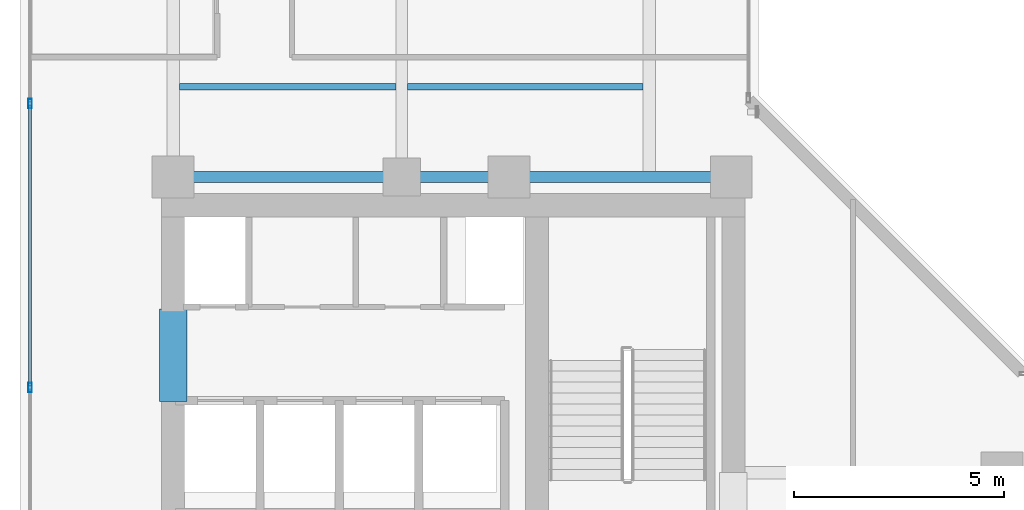
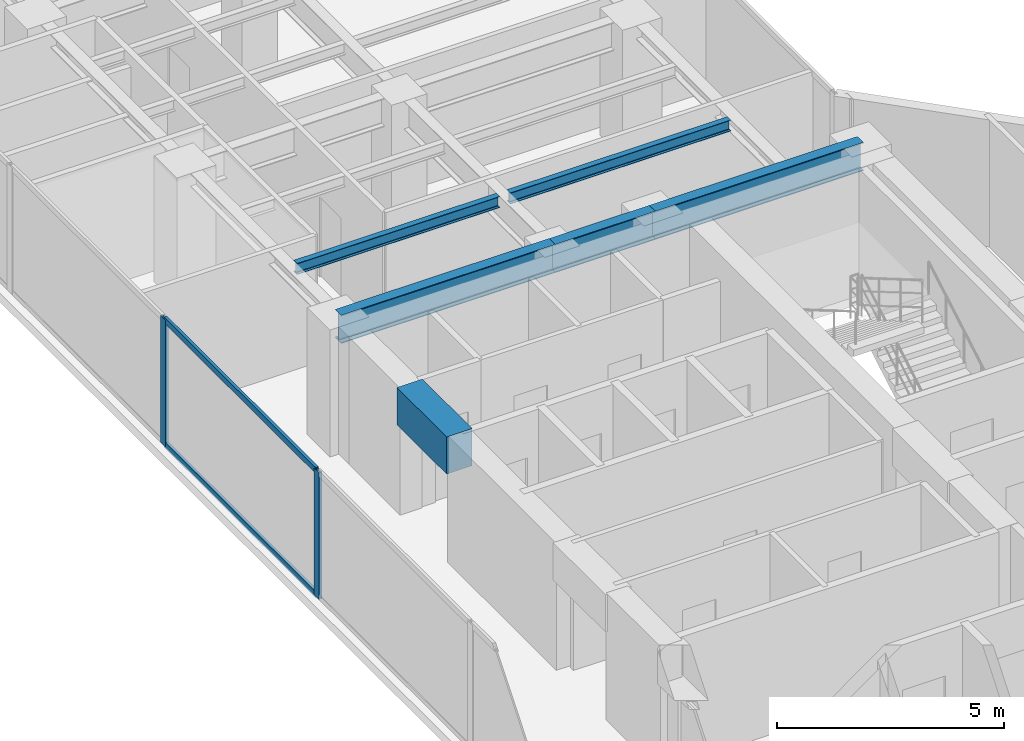
# One storey, part 7 of 24: 6 beams, 4 members, 1 element without a shape of its own.
"""IFC4 building model written with IfcOpenShell, lengths in metres."""

from ifc_helpers import new_model, si_unit, direction, frame, origin, origin_with_axes, origin_2d, place, context, subcontext, project, spatial, rectangle, hollow_rectangle, i_section, extrude, source, transform, mapped, material, layer, layer_set, material_profile, profile_set, type_object, element, aggregate, save


model = new_model("IFC4")

# Units and contexts
model_context = context("Model", 3, precision=1e-05, world=origin(), true_north=direction((0.0, 1.0)))
body_context = subcontext(model_context, "Body", "Model", "MODEL_VIEW")
ifc_project = project(units=[si_unit("LENGTHUNIT", "METRE"), si_unit("AREAUNIT", "SQUARE_METRE"), si_unit("VOLUMEUNIT", "CUBIC_METRE"), si_unit("PLANEANGLEUNIT", "RADIAN"), si_unit("MASSUNIT", "GRAM", prefix="KILO")], contexts=[model_context])

# Site, building, storey
site_placement = place(None, origin())
site = spatial("IfcSite", under=ifc_project, at=site_placement, CompositionType="ELEMENT")
building_placement = place(site_placement, origin())
building = spatial("IfcBuilding", under=site, at=building_placement, Name="Kolvaren Waterfront Exchange", CompositionType="ELEMENT")
storey_placement = place(building_placement, frame((0.0, 0.0, 253.89990234375)))
storey = spatial("IfcBuildingStorey", under=building, at=storey_placement, Name="L65", CompositionType="ELEMENT", Elevation=253.89990234375)

# Beams
ifc_material_1 = material(Name="Steel S355", Category="steel")
ifc_material_profile_1 = material_profile(ifc_material_1, i_section(OverallWidth=0.14990234375, OverallDepth=0.300048828125, WebThickness=0.007080078125, FlangeThickness=0.0107421875, FilletRadius=0.014892578125, at=origin_2d()), Name="IPE300")
ifc_profile_set_1 = profile_set([ifc_material_profile_1], Name="Steel S355")
beam_type_1 = type_object("IfcBeamType", Name="STR-BM-IPE300", PredefinedType="JOIST", material=ifc_profile_set_1)
beam_1_placement = place(storey_placement, frame((7.60205078125, 26.60009765625, 3.27001953125), z_axis=(1.0, 0.0, 0.0), x_axis=(0.0, 1.0, 0.0)))
element("IfcBeam", 1, at=beam_1_placement, inside=storey, type_object=beam_type_1, Name="L65 north-arm composite joist 1A", PredefinedType="JOIST", context=body_context, shape_type="SweptSolid", body=[
    extrude(i_section(OverallWidth=0.14990234375, OverallDepth=0.300048828125, WebThickness=0.007080078125, FlangeThickness=0.0107421875, FilletRadius=0.014892578125, at=origin_2d()), origin(), (0.0, 0.0, 1.0), 5.162353515625),
])
beam_2_placement = place(storey_placement, frame((13.035400390625, 26.60009765625, 3.27001953125), z_axis=(1.0, 0.0, 0.0), x_axis=(0.0, 1.0, 0.0)))
element("IfcBeam", 2, at=beam_2_placement, inside=storey, type_object=beam_type_1, Name="L65 north-arm composite joist 1B", PredefinedType="JOIST", context=body_context, shape_type="SweptSolid", body=[
    extrude(i_section(OverallWidth=0.14990234375, OverallDepth=0.300048828125, WebThickness=0.007080078125, FlangeThickness=0.0107421875, FilletRadius=0.014892578125, at=origin_2d()), origin(), (0.0, 0.0, 1.0), 5.612548828125),
])
ifc_material_profile_2 = material_profile(ifc_material_1, i_section(OverallWidth=0.26708984375, OverallDepth=0.761962890625, WebThickness=0.014404296875, FlangeThickness=0.021484375, FilletRadius=0.01708984375, at=origin_2d()), Name="IPE750x173")
ifc_profile_set_2 = profile_set([ifc_material_profile_2], Name="Steel S355")
beam_type_2 = type_object("IfcBeamType", Name="STR-BM-IPE750", PredefinedType="BEAM", material=ifc_profile_set_2)
beam_3_placement = place(storey_placement, frame((7.449951171875, 24.449951171875, 3.0390625), z_axis=(1.0, 0.0, 0.0), x_axis=(0.0, 1.0, 0.0)))
element("IfcBeam", 3, at=beam_3_placement, inside=storey, type_object=beam_type_2, Name="L65 north-arm girder 1A", PredefinedType="BEAM", context=body_context, shape_type="SweptSolid", body=[
    extrude(i_section(OverallWidth=0.26708984375, OverallDepth=0.761962890625, WebThickness=0.014404296875, FlangeThickness=0.021484375, FilletRadius=0.01708984375, at=origin_2d()), origin(), (0.0, 0.0, 1.0), 5.449951171875),
])
beam_4_placement = place(storey_placement, frame((12.89990234375, 24.449951171875, 3.0390625), z_axis=(1.0, 0.0, 0.0), x_axis=(0.0, 1.0, 0.0)))
element("IfcBeam", 4, at=beam_4_placement, inside=storey, type_object=beam_type_2, Name="L65 north-arm girder 1B", PredefinedType="BEAM", context=body_context, shape_type="SweptSolid", body=[
    extrude(i_section(OverallWidth=0.26708984375, OverallDepth=0.761962890625, WebThickness=0.014404296875, FlangeThickness=0.021484375, FilletRadius=0.01708984375, at=origin_2d()), origin(), (0.0, 0.0, 1.0), 2.550048828125),
])
beam_5_placement = place(storey_placement, frame((15.449951171875, 24.449951171875, 3.0390625), z_axis=(1.0, 0.0, 0.0), x_axis=(0.0, 1.0, 0.0)))
element("IfcBeam", 5, at=beam_5_placement, inside=storey, type_object=beam_type_2, Name="L65 north-arm girder 1C", PredefinedType="BEAM", context=body_context, shape_type="SweptSolid", body=[
    extrude(i_section(OverallWidth=0.26708984375, OverallDepth=0.761962890625, WebThickness=0.014404296875, FlangeThickness=0.021484375, FilletRadius=0.01708984375, at=origin_2d()), origin(), (0.0, 0.0, 1.0), 5.300048828125),
])
ifc_material_2 = material(Name="Concrete C60/75", Category="concrete")
ifc_material_profile_3 = material_profile(ifc_material_2, rectangle(XDim=0.64990234375, YDim=1.0, at=origin_2d()), Name="RC-CB-1000x650")
ifc_profile_set_3 = profile_set([ifc_material_profile_3], Name="Concrete C60/75")
beam_type_3 = type_object("IfcBeamType", Name="STR-CB-1000", PredefinedType="SPANDREL", material=ifc_profile_set_3)
beam_6_placement = place(storey_placement, frame((7.449951171875, 19.10009765625, 2.920166015625), z_axis=(0.0, 1.0, 0.0), x_axis=(-1.0, 0.0, 0.0)))
element("IfcBeam", 6, at=beam_6_placement, inside=storey, type_object=beam_type_3, Name="L65 core coupling beam 5", PredefinedType="SPANDREL", context=body_context, shape_type="SweptSolid", body=[
    extrude(rectangle(XDim=0.64990234375, YDim=1.0, at=origin_2d()), origin(), (0.0, 0.0, 1.0), 2.199951171875),
])

# Curtain wall, members
ifc_material_3 = material(Name="Anodised aluminium 6063-T6", Category="aluminium")
ifc_layer = layer(ifc_material_3, 0.219970703125, Name="Anodised aluminium 6063-T6")
ifc_layer_set = layer_set([ifc_layer], Name="Anodised aluminium 6063-T6")
curtain_wall_type = type_object("IfcCurtainWallType", Name="ARC-CW-SYS2", PredefinedType="USERDEFINED", material=ifc_layer_set)
curtain_wall_placement = place(storey_placement, origin())
curtain_wall = element("IfcCurtainWall", 7, at=curtain_wall_placement, inside=storey, type_object=curtain_wall_type, Name="L65 stick curtain wall CW2 (CW-L65-W)", ObjectType="STICK CURTAIN WALL", PredefinedType="USERDEFINED")
ifc_material_profile_4 = material_profile(ifc_material_3, hollow_rectangle(XDim=0.074951171875, YDim=0.159912109375, WallThickness=0.00439453125, at=origin_2d()), Name="ALU-TRN-160x75x4.5")
ifc_profile_set_4 = profile_set([ifc_material_profile_4], Name="Anodised aluminium 6063-T6")
member_type_1 = type_object("IfcMemberType", Name="ARC-CWT-160", PredefinedType="USERDEFINED", material=ifc_profile_set_4)
shared_shape_1 = source(origin_with_axes(), body_context, "Body", "SweptSolid", [
    extrude(hollow_rectangle(XDim=0.074951171875, YDim=0.159912109375, WallThickness=0.00439453125, at=origin_2d()), origin(), (0.0, 0.0, 1.0), 6.6865234375),
])
member_1_placement = place(storey_placement, frame((4.0400390625, 19.473388671875, 0.03759765625), z_axis=(0.0, 1.0, 0.0), x_axis=(-1.0, 0.0, 0.0)))
member_1 = element("IfcMember", 8, at=member_1_placement, type_object=member_type_1, Name="CW2 transom 3.1", ObjectType="TRANSOM", PredefinedType="USERDEFINED", context=body_context, shape_type="MappedRepresentation", body=[
    mapped(shared_shape_1, transform((0.0, 0.0, 0.0), x_axis=(1.0, 0.0, 0.0), y_axis=(0.0, 1.0, 0.0), z_axis=(0.0, 0.0, 1.0), scale=1.0)),
])
member_2_placement = place(storey_placement, frame((4.0400390625, 19.473388671875, 3.382568359375), z_axis=(0.0, 1.0, 0.0), x_axis=(-1.0, 0.0, 0.0)))
member_2 = element("IfcMember", 9, at=member_2_placement, type_object=member_type_1, Name="CW2 transom 3.2", ObjectType="TRANSOM", PredefinedType="USERDEFINED", context=body_context, shape_type="MappedRepresentation", body=[
    mapped(shared_shape_1, transform((0.0, 0.0, 0.0), x_axis=(1.0, 0.0, 0.0), y_axis=(0.0, 1.0, 0.0), z_axis=(0.0, 0.0, 1.0), scale=1.0)),
])
ifc_material_profile_5 = material_profile(ifc_material_3, hollow_rectangle(XDim=0.080078125, YDim=0.219970703125, WallThickness=0.0048828125, at=origin_2d()), Name="ALU-MUL-220x80x5")
ifc_profile_set_5 = profile_set([ifc_material_profile_5], Name="Anodised aluminium 6063-T6")
member_type_2 = type_object("IfcMemberType", Name="ARC-CWM-220", PredefinedType="MULLION", material=ifc_profile_set_5)
shared_shape_2 = source(origin_with_axes(), body_context, "Body", "SweptSolid", [
    extrude(hollow_rectangle(XDim=0.080078125, YDim=0.219970703125, WallThickness=0.0048828125, at=origin_2d()), origin(), (0.0, 0.0, 1.0), 3.420166015625),
])
member_3_placement = place(storey_placement, frame((4.0400390625, 19.433349609375, 0.0), z_axis=(0.0, 0.0, 1.0), x_axis=(-1.0, 0.0, 0.0)))
member_3 = element("IfcMember", 10, at=member_3_placement, type_object=member_type_2, Name="CW2 mullion 3", PredefinedType="MULLION", context=body_context, shape_type="MappedRepresentation", body=[
    mapped(shared_shape_2, transform((0.0, 0.0, 0.0), x_axis=(1.0, 0.0, 0.0), y_axis=(0.0, 1.0, 0.0), z_axis=(0.0, 0.0, 1.0), scale=1.0)),
])
member_4_placement = place(storey_placement, frame((4.0400390625, 26.199951171875, 0.0), z_axis=(0.0, 0.0, 1.0), x_axis=(-1.0, 0.0, 0.0)))
member_4 = element("IfcMember", 11, at=member_4_placement, type_object=member_type_2, Name="CW2 mullion 4", PredefinedType="MULLION", context=body_context, shape_type="MappedRepresentation", body=[
    mapped(shared_shape_2, transform((0.0, 0.0, 0.0), x_axis=(1.0, 0.0, 0.0), y_axis=(0.0, 1.0, 0.0), z_axis=(0.0, 0.0, 1.0), scale=1.0)),
])
aggregate(curtain_wall, [member_3, member_4, member_1, member_2])

save(model, "model.ifc")
